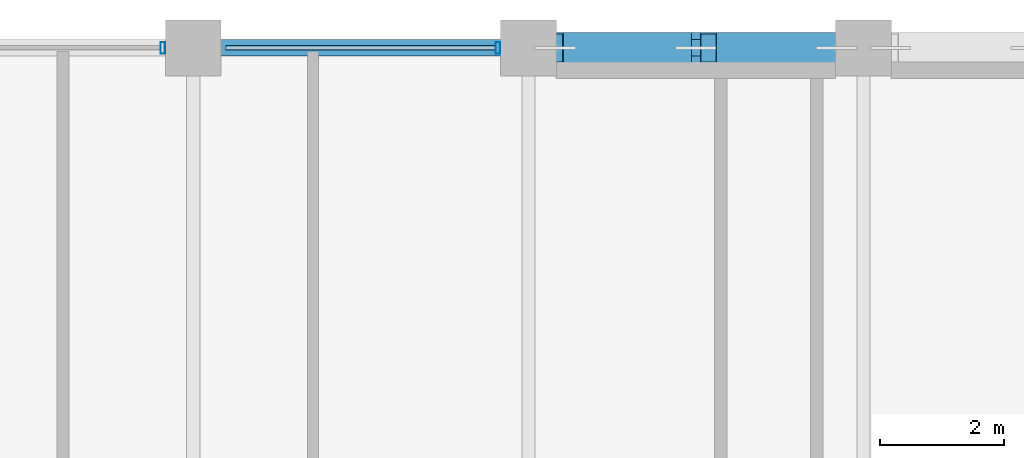
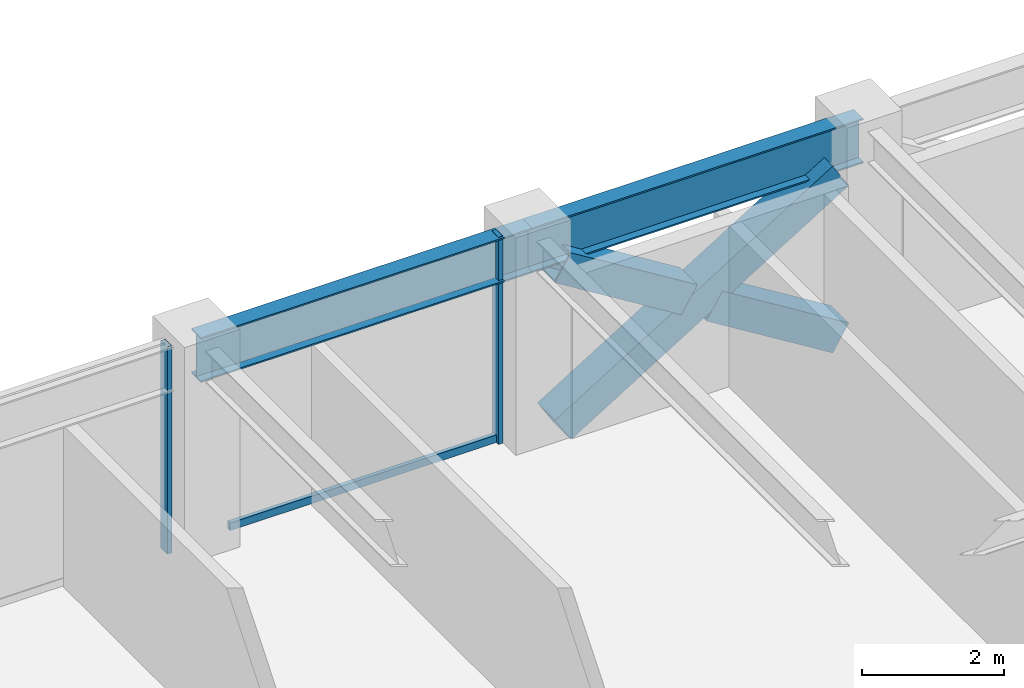
# One storey, part 17 of 28: 6 members, 2 beams, 1 element without a shape of its own.
"""IFC4 building model written with IfcOpenShell, lengths in metres."""

from ifc_helpers import new_model, si_unit, direction, frame, origin, origin_2d, place, context, subcontext, project, spatial, hollow_rectangle, i_section, extrude, material, layer, layer_set, material_profile, profile_set, type_object, element, aggregate, save


model = new_model("IFC4")

# Units and contexts
model_context = context("Model", 3, precision=1e-05, world=origin(), true_north=direction((0.0, 1.0)))
body_context = subcontext(model_context, "Body", "Model", "MODEL_VIEW")
ifc_project = project(units=[si_unit("LENGTHUNIT", "METRE"), si_unit("AREAUNIT", "SQUARE_METRE"), si_unit("VOLUMEUNIT", "CUBIC_METRE"), si_unit("PLANEANGLEUNIT", "RADIAN"), si_unit("MASSUNIT", "GRAM", prefix="KILO")], contexts=[model_context])

# Site, building, storey
site_placement = place(None, origin())
site = spatial("IfcSite", under=ifc_project, at=site_placement, CompositionType="ELEMENT")
building_placement = place(site_placement, origin())
building = spatial("IfcBuilding", under=site, at=building_placement, Name="Surkhivell Harbour Commons", CompositionType="ELEMENT")
storey_placement = place(building_placement, frame((0.0, 0.0, 174.75)))
storey = spatial("IfcBuildingStorey", under=building, at=storey_placement, Name="L45", CompositionType="ELEMENT", Elevation=174.75)

# Beams
ifc_material_1 = material(Name="Steel S355", Category="steel")
ifc_material_profile_1 = material_profile(ifc_material_1, i_section(OverallWidth=0.26806640625, OverallDepth=0.77001953125, WebThickness=0.015625, FlangeThickness=0.025390625, at=origin_2d()), Name="UB762x267x197")
ifc_profile_set_1 = profile_set([ifc_material_profile_1], Name="Steel S355")
beam_type = type_object("IfcBeamType", Name="BM-SPN-762", PredefinedType="SPANDREL", material=ifc_profile_set_1)
beam_1_placement = place(storey_placement, frame((-10.800048828125, 25.89990234375, 3.18505859375), z_axis=(1.0, 0.0, 0.0), x_axis=(0.0, 1.0, 0.0)))
element("IfcBeam", 1, at=beam_1_placement, inside=storey, type_object=beam_type, Name="L45 Tube Spandrel (-10.8,25.9)", PredefinedType="SPANDREL", context=body_context, shape_type="SweptSolid", body=[
    extrude(i_section(OverallWidth=0.26806640625, OverallDepth=0.77001953125, WebThickness=0.015625, FlangeThickness=0.025390625, at=origin_2d()), origin(), (0.0, 0.0, 1.0), 5.400146484375),
])
beam_2_placement = place(storey_placement, frame((-5.39990234375, 25.89990234375, 3.18505859375), z_axis=(1.0, 0.0, 0.0), x_axis=(0.0, 1.0, 0.0)))
element("IfcBeam", 2, at=beam_2_placement, inside=storey, type_object=beam_type, Name="L45 Tube Spandrel (-5.4,25.9)", PredefinedType="SPANDREL", context=body_context, shape_type="SweptSolid", body=[
    extrude(i_section(OverallWidth=0.26806640625, OverallDepth=0.77001953125, WebThickness=0.015625, FlangeThickness=0.025390625, at=origin_2d()), origin(), (0.0, 0.0, 1.0), 5.39990234375),
])

# Curtain wall, members
ifc_material_2 = material(Name="Anodised pale-metal aluminium and insulated glazing", Category="aluminium")
ifc_layer = layer(ifc_material_2, 0.18994140625)
ifc_layer_set = layer_set([ifc_layer], Name="Anodised pale-metal aluminium and insulated glazing")
curtain_wall_type = type_object("IfcCurtainWallType", Name="CW-SYS-Z3", PredefinedType="NOTDEFINED", material=ifc_layer_set)
curtain_wall_placement = place(storey_placement, origin())
curtain_wall = element("IfcCurtainWall", 3, at=curtain_wall_placement, inside=storey, type_object=curtain_wall_type, Name="L45 Curtain Wall CW-L45-E07S2", PredefinedType="NOTDEFINED")
ifc_material_3 = material(Name="Anodised pale-metal aluminium alloy 6063-T6", Category="aluminium")
ifc_material_profile_2 = material_profile(ifc_material_3, hollow_rectangle(XDim=0.074951171875, YDim=0.18994140625, WallThickness=0.00390625, at=origin_2d()), Name="ALU-MULL-75x190")
ifc_profile_set_2 = profile_set([ifc_material_profile_2], Name="Anodised pale-metal aluminium alloy 6063-T6")
member_type_1 = type_object("IfcMemberType", Name="CWM-190", PredefinedType="MULLION", material=ifc_profile_set_2)
member_1_placement = place(storey_placement, frame((-5.889404296875, 25.89990234375, 0.0), z_axis=(0.0, 0.0, 1.0), x_axis=(-1.0, 0.0, 0.0)))
member_1 = element("IfcMember", 4, at=member_1_placement, type_object=member_type_1, Name="CW-Z3 mullion 1", PredefinedType="MULLION", context=body_context, shape_type="SweptSolid", body=[
    extrude(hollow_rectangle(XDim=0.074951171875, YDim=0.18994140625, WallThickness=0.00390625, at=origin_2d()), origin(), (0.0, 0.0, 1.0), 3.570068359375),
])
member_2_placement = place(storey_placement, frame((-11.28955078125, 25.89990234375, 0.0), z_axis=(0.0, 0.0, 1.0), x_axis=(-1.0, 0.0, 0.0)))
member_2 = element("IfcMember", 5, at=member_2_placement, type_object=member_type_1, Name="CW-Z3 mullion 2", PredefinedType="MULLION", context=body_context, shape_type="SweptSolid", body=[
    extrude(hollow_rectangle(XDim=0.074951171875, YDim=0.18994140625, WallThickness=0.00390625, at=origin_2d()), origin(), (0.0, 0.0, 1.0), 3.570068359375),
])
ifc_material_4 = material(Name="Champagne anodised aluminium alloy 6063-T6", Category="aluminium")
ifc_material_profile_3 = material_profile(ifc_material_4, hollow_rectangle(XDim=0.070068359375, YDim=0.1298828125, WallThickness=0.00341796875, at=origin_2d()), Name="ALU-TRAN-70x130")
ifc_profile_set_3 = profile_set([ifc_material_profile_3], Name="Champagne anodised aluminium alloy 6063-T6")
member_type_2 = type_object("IfcMemberType", Name="CWT-130", PredefinedType="USERDEFINED", material=ifc_profile_set_3)
member_3_placement = place(storey_placement, frame((-5.927001953125, 25.89990234375, 0.06494140625), z_axis=(-1.0, 0.0, 0.0), x_axis=(0.0, -1.0, 0.0)))
member_3 = element("IfcMember", 6, at=member_3_placement, type_object=member_type_2, Name="CW-Z3 transom 1.1", ObjectType="TRANSOM", PredefinedType="USERDEFINED", context=body_context, shape_type="SweptSolid", body=[
    extrude(hollow_rectangle(XDim=0.070068359375, YDim=0.1298828125, WallThickness=0.00341796875, at=origin_2d()), origin(), (0.0, 0.0, 1.0), 4.345947265625),
])
aggregate(curtain_wall, [member_1, member_3, member_2])

# Members
ifc_material_5 = material(Name="Steel S460", Category="steel")
ifc_material_profile_4 = material_profile(ifc_material_5, hollow_rectangle(XDim=0.5, YDim=0.5, WallThickness=0.02490234375, at=origin_2d()), Name="SHS500x500x25")
ifc_profile_set_4 = profile_set([ifc_material_profile_4], Name="Steel S460")
member_type_3 = type_object("IfcMemberType", Name="MEM-BRC-SHS500", PredefinedType="BRACE", material=ifc_profile_set_4)
member_4_placement = place(storey_placement, frame((-4.965087890625, 25.89990234375, 0.008056640625), z_axis=(0.850971032488, 0.0, 0.525212625387), x_axis=(0.0, 1.0, 0.0)))
element("IfcMember", 7, at=member_4_placement, inside=storey, type_object=member_type_3, Name="L45 Perimeter Mega-Brace MB- 01", PredefinedType="BRACE", context=body_context, shape_type="SweptSolid", body=[
    extrude(hollow_rectangle(XDim=0.5, YDim=0.5, WallThickness=0.02490234375, at=origin_2d()), origin(), (0.0, 0.0, 1.0), 5.323486328125),
])
for number, where, z_axis, x_axis, name in (
    (8, (-0.43505859375, 25.89990234375, 0.008056640625), (-0.8510034189, 0.0, 0.525160147974), (0.0, -1.0, 0.0), "L45 Perimeter Mega-Brace MB- 02"),
    (9, (-2.904296875, 25.89990234375, 1.531982421875), (-0.850958361341, 0.0, 0.525233155146), (0.0, -1.0, 0.0), "L45 Perimeter Mega-Brace MB- 03"),
):
    element("IfcMember", number, at=place(storey_placement, frame(where, z_axis=z_axis, x_axis=x_axis)), inside=storey, type_object=member_type_3, Name=name, PredefinedType="BRACE", context=body_context, shape_type="SweptSolid", body=[
        extrude(hollow_rectangle(XDim=0.5, YDim=0.5, WallThickness=0.02490234375, at=origin_2d()), origin(), (0.0, 0.0, 1.0), 2.421630859375),
    ])

save(model, "model.ifc")
